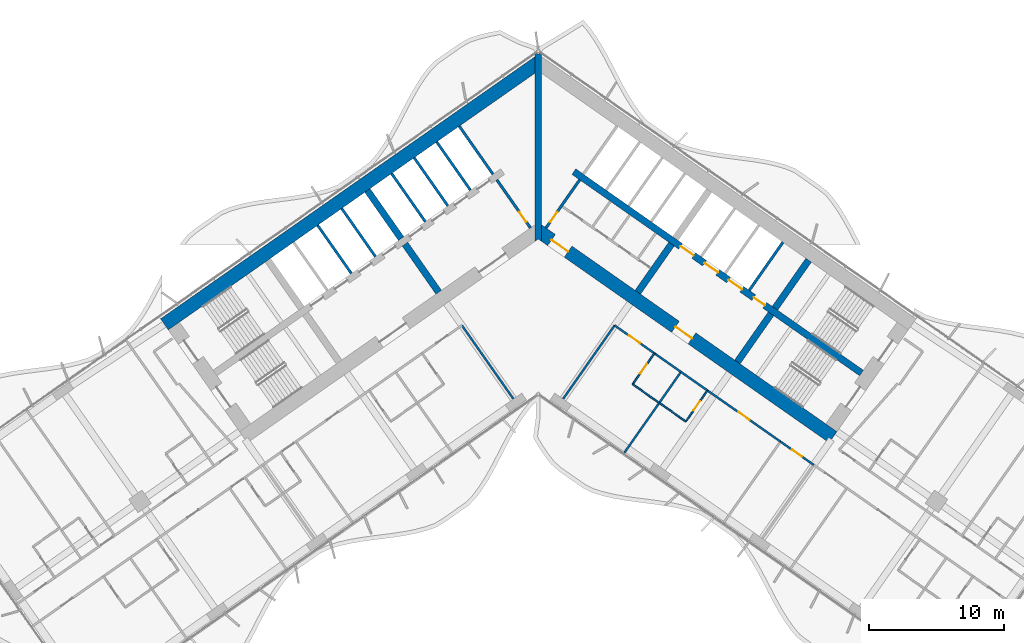
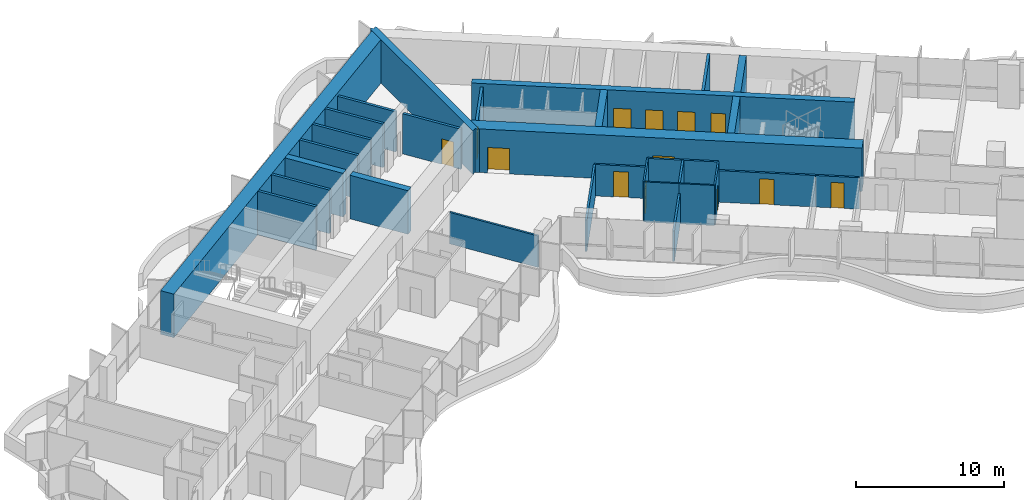
# One storey, part 14 of 23: 31 walls, 13 doors, 13 openings.
"""IFC4 building model written with IfcOpenShell, lengths in metres."""

from ifc_helpers import new_model, si_unit, direction, frame, frame_2d, origin, place, context, subcontext, project, spatial, polyline, rectangle, outline, extrude, material, layer, layer_set, type_object, element, fill, save


model = new_model("IFC4")

# Units and contexts
model_context = context("Model", 3, precision=1e-05, world=origin(), true_north=direction((0.0, 1.0)))
body_context = subcontext(model_context, "Body", "Model", "MODEL_VIEW")
ifc_project = project(units=[si_unit("LENGTHUNIT", "METRE"), si_unit("AREAUNIT", "SQUARE_METRE"), si_unit("VOLUMEUNIT", "CUBIC_METRE"), si_unit("PLANEANGLEUNIT", "RADIAN"), si_unit("MASSUNIT", "GRAM", prefix="KILO")], contexts=[model_context])

# Site, building, storey
site_placement = place(None, origin())
site = spatial("IfcSite", under=ifc_project, at=site_placement, CompositionType="ELEMENT")
building_placement = place(site_placement, origin())
building = spatial("IfcBuilding", under=site, at=building_placement, Name="Tel Ilan Convention Tower", CompositionType="ELEMENT")
storey_placement = place(building_placement, frame((0.0, 0.0, 79.699951171875)))
storey = spatial("IfcBuildingStorey", under=building, at=storey_placement, Name="L15", CompositionType="ELEMENT", Elevation=79.699951171875)

# Wall, opening, door
ifc_material_1 = material(Name="Concrete C30/37", Category="concrete")
ifc_layer_1 = layer(ifc_material_1, 0.199951171875)
ifc_layer_set_1 = layer_set([ifc_layer_1], Name="Core Service Room Wall 200 mm C30/37")
wall_type_1 = type_object("IfcWallType", Name="Core Service Room Wall 200 mm C30/37", PredefinedType="SOLIDWALL", material=ifc_layer_set_1)
wall_1_placement = place(storey_placement, frame((-0.573486328125, -0.401611328125, 0.0), z_axis=(0.0, 0.0, 1.0), x_axis=(-0.57356780395, 0.819158088694, 0.0)))
wall_1 = element("IfcWall", 1, at=wall_1_placement, inside=storey, type_object=wall_type_1, Name="L15 core wall apex-W", PredefinedType="SOLIDWALL", context=body_context, shape_type="SweptSolid", body=[
    extrude(rectangle(XDim=4.35009765625, YDim=0.199951171875, at=frame_2d((2.175048828125, 0.0))), origin(), (0.0, 0.0, 1.0), 3.320068359375),
])
opening_1_placement = place(wall_1_placement, frame((0.550048828125, 0.0, 0.0)))
opening_1 = element("IfcOpeningElement", 2, at=opening_1_placement, cuts=wall_1, Name="Opening CD1502", PredefinedType="OPENING", context=body_context, shape_type="SweptSolid", body=[
    extrude(rectangle(XDim=0.89990234375, YDim=2.10009765625, at=frame_2d((0.449951171875, 1.050048828125))), frame((0.0, 0.10986328125, 0.0), z_axis=(0.0, -1.0, 0.0), x_axis=(1.0, 0.0, 0.0)), (0.0, 0.0, 1.0), 0.219970703125),
])
ifc_material_2 = material(Name="Galvanised Steel Door Leaf", Category="steel")
door_type_1 = type_object("IfcDoorType", Name="Service Room Door 900 x 2100 FD60", OperationType="NOTDEFINED", PredefinedType="DOOR", material=ifc_material_2)
door_1_placement = place(opening_1_placement, origin())
door_1 = element("IfcDoor", 3, at=door_1_placement, inside=storey, type_object=door_type_1, Name="Telecom Room door", OperationType="SINGLE_SWING_RIGHT", OverallHeight=2.10009765625, OverallWidth=0.89990234375, PredefinedType="DOOR", context=body_context, shape_type="SweptSolid", body=[
    extrude(rectangle(XDim=0.89990234375, YDim=2.10009765625, at=frame_2d((0.449951171875, 1.050048828125))), frame((0.0, 0.02490234375, 0.0), z_axis=(0.0, -1.0, 0.0), x_axis=(1.0, 0.0, 0.0)), (0.0, 0.0, 1.0), 0.050048828125),
])
fill(opening_1, door_1)

# Wall
wall_2_placement = place(storey_placement, frame((-3.355224609375, 3.5712890625, 0.0), z_axis=(0.0, 0.0, 1.0), x_axis=(-0.57356780395, 0.819158088694, 0.0)))
element("IfcWall", 4, at=wall_2_placement, inside=storey, type_object=wall_type_1, Name="L15 core wall apex-W-b", PredefinedType="SOLIDWALL", context=body_context, shape_type="SweptSolid", body=[
    extrude(rectangle(XDim=4.35009765625, YDim=0.199951171875, at=frame_2d((2.175048828125, 0.0))), origin(), (0.0, 0.0, 1.0), 3.320068359375),
])

# Wall, opening, door
wall_3_placement = place(storey_placement, frame((0.573486328125, -0.401611328125, 0.0), z_axis=(0.0, 0.0, 1.0), x_axis=(0.57356780395, 0.819158088694, 0.0)))
wall_3 = element("IfcWall", 5, at=wall_3_placement, inside=storey, type_object=wall_type_1, Name="L15 core wall apex-E", PredefinedType="SOLIDWALL", context=body_context, shape_type="SweptSolid", body=[
    extrude(rectangle(XDim=4.35009765625, YDim=0.199951171875, at=frame_2d((2.175048828125, 0.0))), origin(), (0.0, 0.0, 1.0), 3.320068359375),
])
opening_2_placement = place(wall_3_placement, frame((0.550048828125, 0.0, 0.0)))
opening_2 = element("IfcOpeningElement", 6, at=opening_2_placement, cuts=wall_3, Name="Opening CD1501", PredefinedType="OPENING", context=body_context, shape_type="SweptSolid", body=[
    extrude(rectangle(XDim=0.89990234375, YDim=2.10009765625, at=frame_2d((0.449951171875, 1.050048828125))), frame((0.0, 0.10986328125, 0.0), z_axis=(0.0, -1.0, 0.0), x_axis=(1.0, 0.0, 0.0)), (0.0, 0.0, 1.0), 0.219970703125),
])
door_2_placement = place(opening_2_placement, origin())
door_2 = element("IfcDoor", 7, at=door_2_placement, inside=storey, type_object=door_type_1, Name="Data Room door", OperationType="SINGLE_SWING_RIGHT", OverallHeight=2.10009765625, OverallWidth=0.89990234375, PredefinedType="DOOR", context=body_context, shape_type="SweptSolid", body=[
    extrude(rectangle(XDim=0.89990234375, YDim=2.10009765625, at=frame_2d((0.449951171875, 1.050048828125))), frame((0.0, 0.02490234375, 0.0), z_axis=(0.0, -1.0, 0.0), x_axis=(1.0, 0.0, 0.0)), (0.0, 0.0, 1.0), 0.050048828125),
])
fill(opening_2, door_2)

# Wall
ifc_material_3 = material(Name="Concrete C60/75", Category="concrete")
ifc_layer_2 = layer(ifc_material_3, 1.0)
ifc_layer_set_2 = layer_set([ifc_layer_2], Name="Core Shear Wall 1000 mm C60/75")
wall_type_2 = type_object("IfcWallType", Name="Core Shear Wall 1000 mm C60/75", PredefinedType="SHEAR", material=ifc_layer_set_2)
wall_4_placement = place(storey_placement, frame((0.036865234375, 11.8671875, 0.0), z_axis=(0.0, 0.0, 1.0), x_axis=(-0.819155306259, -0.573571777746, 0.0)))
element("IfcWall", 8, at=wall_4_placement, inside=storey, type_object=wall_type_2, Name="L15 core wall W-back", PredefinedType="SHEAR", context=body_context, shape_type="SweptSolid", body=[
    extrude(outline(polyline([(33.8369140625, 0.5), (0.7001953125, 0.499755859375), (0.0, -0.5), (33.8369140625, -0.5), (33.8369140625, 0.5)])), origin(), (0.0, 0.0, 1.0), 3.60009765625),
])

# Wall, openings, doors
wall_5_placement = place(storey_placement, frame((-0.036865234375, -0.584716796875, 0.0), z_axis=(0.0, 0.0, 1.0), x_axis=(0.819157152511, -0.573569140985, 0.0)))
wall_5 = element("IfcWall", 9, at=wall_5_placement, inside=storey, type_object=wall_type_2, Name="L15 core wall E-front", PredefinedType="SHEAR", context=body_context, shape_type="SweptSolid", body=[
    extrude(outline(polyline([(26.69482421875, 0.499755859375), (0.0, 0.5), (0.7001953125, -0.499755859375), (26.69482421875, -0.500244140625), (26.69482421875, 0.499755859375)])), origin(), (0.0, 0.0, 1.0), 3.60009765625),
])
opening_3_placement = place(wall_5_placement, frame((1.244873046875, 0.0, 0.0)))
opening_3 = element("IfcOpeningElement", 10, at=opening_3_placement, cuts=wall_5, Name="Opening CD1503", PredefinedType="OPENING", context=body_context, shape_type="SweptSolid", body=[
    extrude(rectangle(XDim=1.5, YDim=2.10009765625, at=frame_2d((0.75, 1.050048828125))), frame((0.0, 0.510009765625, 0.0), z_axis=(0.0, -1.0, 0.0), x_axis=(1.0, 0.0, 0.0)), (0.0, 0.0, 1.0), 1.02001953125),
])
opening_4_placement = place(wall_5_placement, frame((12.44482421875, 0.0, 0.0)))
opening_4 = element("IfcOpeningElement", 11, at=opening_4_placement, cuts=wall_5, Name="Opening CD1504", PredefinedType="OPENING", context=body_context, shape_type="SweptSolid", body=[
    extrude(rectangle(XDim=1.5, YDim=2.10009765625, at=frame_2d((0.75, 1.050048828125))), frame((0.0, 0.510009765625, 0.0), z_axis=(0.0, -1.0, 0.0), x_axis=(1.0, 0.0, 0.0)), (0.0, 0.0, 1.0), 1.02001953125),
])
ifc_material_4 = material(Name="Glazed Aluminium Door Leaf", Category="aluminium")
door_type_2 = type_object("IfcDoorType", Name="Lobby Opening Door 1500 x 2100 FD60S", OperationType="NOTDEFINED", PredefinedType="DOOR", material=ifc_material_4)
door_3_placement = place(opening_4_placement, origin())
door_3 = element("IfcDoor", 12, at=door_3_placement, inside=storey, type_object=door_type_2, Name="Firefighting Lobby door", OperationType="DOUBLE_DOOR_SINGLE_SWING", OverallHeight=2.10009765625, OverallWidth=1.5, PredefinedType="DOOR", context=body_context, shape_type="SweptSolid", body=[
    extrude(rectangle(XDim=1.5, YDim=2.10009765625, at=frame_2d((0.75, 1.050048828125))), frame((0.0, 0.02490234375, 0.0), z_axis=(0.0, -1.0, 0.0), x_axis=(1.0, 0.0, 0.0)), (0.0, 0.0, 1.0), 0.050048828125),
])
fill(opening_4, door_3)
ifc_material_5 = material(Name="Laminated Timber Door Leaf", Category="wood")
door_type_3 = type_object("IfcDoorType", Name="Toilet Door 1500 x 2100 FD30S", OperationType="NOTDEFINED", PredefinedType="DOOR", material=ifc_material_5)
door_4_placement = place(opening_3_placement, origin())
door_4 = element("IfcDoor", 13, at=door_4_placement, inside=storey, type_object=door_type_3, Name="WC Lobby door", OperationType="SINGLE_SWING_RIGHT", OverallHeight=2.10009765625, OverallWidth=1.5, PredefinedType="DOOR", context=body_context, shape_type="SweptSolid", body=[
    extrude(rectangle(XDim=1.5, YDim=2.10009765625, at=frame_2d((0.75, 1.050048828125))), frame((0.0, 0.02490234375, 0.0), z_axis=(0.0, -1.0, 0.0), x_axis=(1.0, 0.0, 0.0)), (0.0, 0.0, 1.0), 0.050048828125),
])
fill(opening_3, door_4)

# Walls
ifc_material_6 = material(Name="Concrete C60/75", Category="concrete")
ifc_layer_3 = layer(ifc_material_6, 0.5)
ifc_layer_set_3 = layer_set([ifc_layer_3], Name="Core Shear Wall 500 mm C60/75")
wall_type_3 = type_object("IfcWallType", Name="Core Shear Wall 500 mm C60/75", PredefinedType="SHEAR", material=ifc_layer_set_3)
wall_6_placement = place(storey_placement, frame((-7.372314453125, -5.162109375, 0.0), z_axis=(0.0, 0.0, 1.0), x_axis=(-0.573594173421, 0.819139624372, 0.0)))
element("IfcWall", 14, at=wall_6_placement, inside=storey, type_object=wall_type_3, Name="L15 core wall W-cross1-1", PredefinedType="SHEAR", context=body_context, shape_type="SweptSolid", body=[
    extrude(outline(polyline([(4.349853515625, 0.25), (0.0, 0.250244140625), (0.0, -0.25), (4.349853515625, -0.25), (4.349853515625, 0.25)])), origin(), (0.0, 0.0, 1.0), 3.60009765625),
])
wall_7_placement = place(storey_placement, frame((-10.154296875, -1.189208984375, 0.0), z_axis=(0.0, 0.0, 1.0), x_axis=(-0.573594173421, 0.819139624372, 0.0)))
element("IfcWall", 15, at=wall_7_placement, inside=storey, type_object=wall_type_3, Name="L15 core wall W-cross1-2", PredefinedType="SHEAR", context=body_context, shape_type="SweptSolid", body=[
    extrude(outline(polyline([(4.349853515625, -0.25), (4.349853515625, 0.25), (-0.000244140625, 0.25), (-0.000244140625, -0.25), (4.349853515625, -0.25)])), origin(), (0.0, 0.0, 1.0), 3.60009765625),
])
wall_8_placement = place(storey_placement, frame((7.372314453125, -5.162109375, 0.0), z_axis=(0.0, 0.0, 1.0), x_axis=(0.573594173421, 0.819139624372, 0.0)))
element("IfcWall", 16, at=wall_8_placement, inside=storey, type_object=wall_type_3, Name="L15 core wall E-cross1-1", PredefinedType="SHEAR", context=body_context, shape_type="SweptSolid", body=[
    extrude(outline(polyline([(0.0, 0.25), (0.0, -0.250244140625), (4.349853515625, -0.25), (4.349853515625, 0.25), (0.0, 0.25)])), origin(), (0.0, 0.0, 1.0), 3.60009765625),
])
wall_9_placement = place(storey_placement, frame((14.74462890625, -10.324462890625, 0.0), z_axis=(0.0, 0.0, 1.0), x_axis=(0.57356780395, 0.819158088694, 0.0)))
element("IfcWall", 17, at=wall_9_placement, inside=storey, type_object=wall_type_3, Name="L15 core wall E-cross2-1", PredefinedType="SHEAR", context=body_context, shape_type="SweptSolid", body=[
    extrude(outline(polyline([(0.0, 0.25), (0.0, -0.25), (4.35009765625, -0.250244140625), (4.35009765625, 0.25), (0.0, 0.25)])), origin(), (0.0, 0.0, 1.0), 3.60009765625),
])
wall_10_placement = place(storey_placement, frame((17.526611328125, -6.3515625, 0.0), z_axis=(0.0, 0.0, 1.0), x_axis=(0.573530143085, 0.819184457233, 0.0)))
element("IfcWall", 18, at=wall_10_placement, inside=storey, type_object=wall_type_3, Name="L15 core wall E-cross2-2", PredefinedType="SHEAR", context=body_context, shape_type="SweptSolid", body=[
    extrude(outline(polyline([(4.35009765625, -0.250244140625), (4.35009765625, 0.249755859375), (0.0, 0.25), (0.0, -0.25), (4.35009765625, -0.250244140625)])), origin(), (0.0, 0.0, 1.0), 3.60009765625),
])

# Wall, openings, doors
wall_11_placement = place(storey_placement, frame((2.638427734375, 3.76806640625, 0.0), z_axis=(0.0, 0.0, 1.0), x_axis=(0.819148977158, -0.573580816643, 0.0)))
wall_11 = element("IfcWall", 19, at=wall_11_placement, inside=storey, type_object=wall_type_3, Name="L15 core wall E-spine", PredefinedType="SHEAR", context=body_context, shape_type="SweptSolid", body=[
    extrude(outline(polyline([(0.0, 0.25), (0.0, -0.25), (26.0, -0.249755859375), (26.0, 0.250244140625), (0.0, 0.25)])), origin(), (0.0, 0.0, 1.0), 3.60009765625),
])
opening_5_placement = place(wall_11_placement, frame((9.637451171875, 0.0, 0.0)))
opening_5 = element("IfcOpeningElement", 20, at=opening_5_placement, cuts=wall_11, Name="Opening LD1501", PredefinedType="OPENING", context=body_context, shape_type="SweptSolid", body=[
    extrude(rectangle(XDim=1.199951171875, YDim=2.10009765625, at=frame_2d((0.60009765625, 1.050048828125))), frame((0.0, 0.260009765625, 0.0), z_axis=(0.0, -1.0, 0.0), x_axis=(1.0, 0.0, 0.0)), (0.0, 0.0, 1.0), 0.52001953125),
])
opening_6_placement = place(wall_11_placement, frame((11.8125, 0.0, 0.0)))
opening_6 = element("IfcOpeningElement", 21, at=opening_6_placement, cuts=wall_11, Name="Opening LD1502", PredefinedType="OPENING", context=body_context, shape_type="SweptSolid", body=[
    extrude(rectangle(XDim=1.199951171875, YDim=2.10009765625, at=frame_2d((0.60009765625, 1.050048828125))), frame((0.0, 0.260009765625, 0.0), z_axis=(0.0, -1.0, 0.0), x_axis=(1.0, 0.0, 0.0)), (0.0, 0.0, 1.0), 0.52001953125),
])
opening_7_placement = place(wall_11_placement, frame((13.987548828125, 0.0, 0.0)))
opening_7 = element("IfcOpeningElement", 22, at=opening_7_placement, cuts=wall_11, Name="Opening LD1503", PredefinedType="OPENING", context=body_context, shape_type="SweptSolid", body=[
    extrude(rectangle(XDim=1.199951171875, YDim=2.10009765625, at=frame_2d((0.60009765625, 1.050048828125))), frame((0.0, 0.260009765625, 0.0), z_axis=(0.0, -1.0, 0.0), x_axis=(1.0, 0.0, 0.0)), (0.0, 0.0, 1.0), 0.52001953125),
])
opening_8_placement = place(wall_11_placement, frame((16.262451171875, 0.0, 0.0)))
opening_8 = element("IfcOpeningElement", 23, at=opening_8_placement, cuts=wall_11, Name="Opening CD1507", PredefinedType="OPENING", context=body_context, shape_type="SweptSolid", body=[
    extrude(rectangle(XDim=1.0, YDim=2.10009765625, at=frame_2d((0.5, 1.050048828125))), frame((0.0, 0.260009765625, 0.0), z_axis=(0.0, -1.0, 0.0), x_axis=(1.0, 0.0, 0.0)), (0.0, 0.0, 1.0), 0.52001953125),
])
ifc_material_7 = material(Name="Stainless Steel Sliding Door Leaf", Category="steel")
door_type_4 = type_object("IfcDoorType", Name="Lift Landing Door 1200 x 2100 FD120", OperationType="NOTDEFINED", PredefinedType="DOOR", material=ifc_material_7)
door_5_placement = place(opening_5_placement, origin())
door_5 = element("IfcDoor", 24, at=door_5_placement, inside=storey, type_object=door_type_4, Name="Lift FL1 landing door", OperationType="SLIDING_TO_LEFT", OverallHeight=2.10009765625, OverallWidth=1.199951171875, PredefinedType="DOOR", context=body_context, shape_type="SweptSolid", body=[
    extrude(rectangle(XDim=1.199951171875, YDim=2.10009765625, at=frame_2d((0.60009765625, 1.050048828125))), frame((0.0, 0.02490234375, 0.0), z_axis=(0.0, -1.0, 0.0), x_axis=(1.0, 0.0, 0.0)), (0.0, 0.0, 1.0), 0.050048828125),
])
fill(opening_5, door_5)
door_6_placement = place(opening_6_placement, origin())
door_6 = element("IfcDoor", 25, at=door_6_placement, inside=storey, type_object=door_type_4, Name="Lift FL2 landing door", OperationType="SLIDING_TO_RIGHT", OverallHeight=2.10009765625, OverallWidth=1.199951171875, PredefinedType="DOOR", context=body_context, shape_type="SweptSolid", body=[
    extrude(rectangle(XDim=1.199951171875, YDim=2.10009765625, at=frame_2d((0.60009765625, 1.050048828125))), frame((0.0, 0.02490234375, 0.0), z_axis=(0.0, -1.0, 0.0), x_axis=(1.0, 0.0, 0.0)), (0.0, 0.0, 1.0), 0.050048828125),
])
fill(opening_6, door_6)
door_7_placement = place(opening_7_placement, origin())
door_7 = element("IfcDoor", 26, at=door_7_placement, inside=storey, type_object=door_type_4, Name="Lift FL3 landing door", OperationType="SLIDING_TO_LEFT", OverallHeight=2.10009765625, OverallWidth=1.199951171875, PredefinedType="DOOR", context=body_context, shape_type="SweptSolid", body=[
    extrude(rectangle(XDim=1.199951171875, YDim=2.10009765625, at=frame_2d((0.60009765625, 1.050048828125))), frame((0.0, 0.02490234375, 0.0), z_axis=(0.0, -1.0, 0.0), x_axis=(1.0, 0.0, 0.0)), (0.0, 0.0, 1.0), 0.050048828125),
])
fill(opening_7, door_7)
ifc_material_8 = material(Name="Galvanised Steel Door Leaf", Category="steel")
door_type_5 = type_object("IfcDoorType", Name="Service Room Door 1000 x 2100 FD60", OperationType="NOTDEFINED", PredefinedType="DOOR", material=ifc_material_8)
door_8_placement = place(opening_8_placement, origin())
door_8 = element("IfcDoor", 27, at=door_8_placement, inside=storey, type_object=door_type_5, Name="Plant Room door", OperationType="SINGLE_SWING_RIGHT", OverallHeight=2.10009765625, OverallWidth=1.0, PredefinedType="DOOR", context=body_context, shape_type="SweptSolid", body=[
    extrude(rectangle(XDim=1.0, YDim=2.10009765625, at=frame_2d((0.5, 1.050048828125))), frame((0.0, 0.02490234375, 0.0), z_axis=(0.0, -1.0, 0.0), x_axis=(1.0, 0.0, 0.0)), (0.0, 0.0, 1.0), 0.050048828125),
])
fill(opening_8, door_8)

# Wall
wall_12_placement = place(storey_placement, frame((0.0, -1.395751953125, 0.0), z_axis=(0.0, 0.0, 1.0), x_axis=(0.0, 1.0, 0.0)))
element("IfcWall", 28, at=wall_12_placement, inside=storey, type_object=wall_type_3, Name="L15 core wall K-central", PredefinedType="SHEAR", context=body_context, shape_type="SweptSolid", body=[
    extrude(outline(polyline([(0.0, -0.25), (0.175048828125, -0.25), (1.220703125, -0.25), (12.451904296875, -0.25), (13.84765625, -0.25), (13.85693359375, -0.25), (13.96826171875, -0.172119140625), (13.84765625, 0.0), (13.96826171875, 0.172119140625), (13.85693359375, 0.25), (13.84765625, 0.25), (12.451904296875, 0.25), (1.220703125, 0.25), (0.175048828125, 0.25), (0.0, 0.25), (0.175048828125, 0.0), (0.0, -0.25)])), origin(), (0.0, 0.0, 1.0), 3.60009765625),
])

# Wall, opening, door
ifc_material_9 = material(Name="Plasterboard on Steel Studs", Category="steel")
ifc_layer_4 = layer(ifc_material_9, 0.14990234375)
ifc_layer_set_4 = layer_set([ifc_layer_4], Name="Fire-rated Partition 150 EI 60")
wall_type_4 = type_object("IfcWallType", Name="Fire-rated Partition 150 EI 60", PredefinedType="PARTITIONING", material=ifc_layer_set_4)
wall_13_placement = place(storey_placement, frame((8.601318359375, -9.68505859375, 0.0), z_axis=(0.0, 0.0, 1.0), x_axis=(-0.819149096931, 0.573580645591, 0.0)))
wall_13 = element("IfcWall", 29, at=wall_13_placement, inside=storey, type_object=wall_type_4, Name="Partition 007", PredefinedType="PARTITIONING", context=body_context, shape_type="SweptSolid", body=[
    extrude(rectangle(XDim=3.600830078125, YDim=0.14990234375, at=frame_2d((1.80029296875, 0.0))), origin(), (0.0, 0.0, 1.0), 2.60009765625),
])
opening_9_placement = place(wall_13_placement, frame((1.301025390625, 0.0, 0.0)))
opening_9 = element("IfcOpeningElement", 30, at=opening_9_placement, cuts=wall_13, Name="Opening L15-021", PredefinedType="OPENING", context=body_context, shape_type="SweptSolid", body=[
    extrude(rectangle(XDim=1.0, YDim=2.10009765625, at=frame_2d((0.5, 1.050048828125))), frame((0.0, 0.0849609375, 0.0), z_axis=(0.0, -1.0, 0.0), x_axis=(1.0, 0.0, 0.0)), (0.0, 0.0, 1.0), 0.169921875),
])
ifc_material_10 = material(Name="Timber Door Leaf in Steel Frame", Category="steel")
door_type_6 = type_object("IfcDoorType", Name="Hotel Room Entrance Fire Door 1000x2100", OperationType="NOTDEFINED", PredefinedType="DOOR", material=ifc_material_10)
door_9_placement = place(opening_9_placement, origin())
door_9 = element("IfcDoor", 31, at=door_9_placement, inside=storey, type_object=door_type_6, Name="Door L15-021", OperationType="SINGLE_SWING_LEFT", OverallHeight=2.10009765625, OverallWidth=1.0, PredefinedType="DOOR", context=body_context, shape_type="SweptSolid", body=[
    extrude(rectangle(XDim=1.0, YDim=2.10009765625, at=frame_2d((0.5, 1.050048828125))), frame((0.0, 0.02490234375, 0.0), z_axis=(0.0, -1.0, 0.0), x_axis=(1.0, 0.0, 0.0)), (0.0, 0.0, 1.0), 0.050048828125),
])
fill(opening_9, door_9)

# Wall
wall_14_placement = place(storey_placement, frame((10.568115234375, -11.062255859375, 0.0), z_axis=(0.0, 0.0, 1.0), x_axis=(-0.819146032251, 0.573585022335, 0.0)))
element("IfcWall", 32, at=wall_14_placement, inside=storey, type_object=wall_type_4, Name="Partition 008", PredefinedType="PARTITIONING", context=body_context, shape_type="SweptSolid", body=[
    extrude(rectangle(XDim=2.404052734375, YDim=0.14990234375, at=frame_2d((1.2021484375, 0.0))), origin(), (0.0, 0.0, 1.0), 3.320068359375),
])

# Wall, opening, door
wall_15_placement = place(storey_placement, frame((17.940673828125, -16.224365234375, 0.0), z_axis=(0.0, 0.0, 1.0), x_axis=(-0.819153746897, 0.573574004767, 0.0)))
wall_15 = element("IfcWall", 33, at=wall_15_placement, inside=storey, type_object=wall_type_4, Name="Partition 009", PredefinedType="PARTITIONING", context=body_context, shape_type="SweptSolid", body=[
    extrude(rectangle(XDim=6.60302734375, YDim=0.14990234375, at=frame_2d((3.301513671875, 0.0))), origin(), (0.0, 0.0, 1.0), 2.60009765625),
])
opening_10_placement = place(wall_15_placement, frame((2.802001953125, 0.0, 0.0)))
opening_10 = element("IfcOpeningElement", 34, at=opening_10_placement, cuts=wall_15, Name="Opening L15-023", PredefinedType="OPENING", context=body_context, shape_type="SweptSolid", body=[
    extrude(rectangle(XDim=1.0, YDim=2.10009765625, at=frame_2d((0.5, 1.050048828125))), frame((0.0, 0.0849609375, 0.0), z_axis=(0.0, -1.0, 0.0), x_axis=(1.0, 0.0, 0.0)), (0.0, 0.0, 1.0), 0.169921875),
])
door_10_placement = place(opening_10_placement, origin())
door_10 = element("IfcDoor", 35, at=door_10_placement, inside=storey, type_object=door_type_6, Name="Door L15-023", OperationType="SINGLE_SWING_RIGHT", OverallHeight=2.10009765625, OverallWidth=1.0, PredefinedType="DOOR", context=body_context, shape_type="SweptSolid", body=[
    extrude(rectangle(XDim=1.0, YDim=2.10009765625, at=frame_2d((0.5, 1.050048828125))), frame((0.0, 0.02490234375, 0.0), z_axis=(0.0, -1.0, 0.0), x_axis=(1.0, 0.0, 0.0)), (0.0, 0.0, 1.0), 0.050048828125),
])
fill(opening_10, door_10)

# Wall
wall_16_placement = place(storey_placement, frame((12.5341796875, -12.438720703125, 0.0), z_axis=(0.0, 0.0, 1.0), x_axis=(-0.819193748, 0.57351687267, 0.0)))
element("IfcWall", 36, at=wall_16_placement, inside=storey, type_object=wall_type_4, Name="Partition 010", PredefinedType="PARTITIONING", context=body_context, shape_type="SweptSolid", body=[
    extrude(rectangle(XDim=2.40380859375, YDim=0.14990234375, at=frame_2d((1.201904296875, 0.0))), origin(), (0.0, 0.0, 1.0), 3.320068359375),
])

# Wall, opening, door
wall_17_placement = place(storey_placement, frame((20.39794921875, -17.9453125, 0.0), z_axis=(0.0, 0.0, 1.0), x_axis=(-0.819128818764, 0.573609604409, 0.0)))
wall_17 = element("IfcWall", 37, at=wall_17_placement, inside=storey, type_object=wall_type_4, Name="Partition 011", PredefinedType="PARTITIONING", context=body_context, shape_type="SweptSolid", body=[
    extrude(rectangle(XDim=3.004150390625, YDim=0.14990234375, at=frame_2d((1.501953125, 0.0))), origin(), (0.0, 0.0, 1.0), 2.60009765625),
])
opening_11_placement = place(wall_17_placement, frame((1.052001953125, 0.0, 0.0)))
opening_11 = element("IfcOpeningElement", 38, at=opening_11_placement, cuts=wall_17, Name="Opening L15-024", PredefinedType="OPENING", context=body_context, shape_type="SweptSolid", body=[
    extrude(rectangle(XDim=0.89990234375, YDim=2.10009765625, at=frame_2d((0.449951171875, 1.050048828125))), frame((0.0, 0.0849609375, 0.0), z_axis=(0.0, -1.0, 0.0), x_axis=(1.0, 0.0, 0.0)), (0.0, 0.0, 1.0), 0.169921875),
])
ifc_material_11 = material(Name="Timber Door Leaf in Steel Frame", Category="steel")
door_type_7 = type_object("IfcDoorType", Name="Room Fire Door 900x2100", OperationType="NOTDEFINED", PredefinedType="DOOR", material=ifc_material_11)
door_11_placement = place(opening_11_placement, origin())
door_11 = element("IfcDoor", 39, at=door_11_placement, inside=storey, type_object=door_type_7, Name="Door L15-024", OperationType="SINGLE_SWING_LEFT", OverallHeight=2.10009765625, OverallWidth=0.89990234375, PredefinedType="DOOR", context=body_context, shape_type="SweptSolid", body=[
    extrude(rectangle(XDim=0.89990234375, YDim=2.10009765625, at=frame_2d((0.449951171875, 1.050048828125))), frame((0.0, 0.02490234375, 0.0), z_axis=(0.0, -1.0, 0.0), x_axis=(1.0, 0.0, 0.0)), (0.0, 0.0, 1.0), 0.050048828125),
])
fill(opening_11, door_11)

# Walls
wall_18_placement = place(storey_placement, frame((8.9599609375, -13.35546875, 0.0), z_axis=(0.0, 0.0, 1.0), x_axis=(-0.573564311442, -0.819160534108, 0.0)))
element("IfcWall", 40, at=wall_18_placement, inside=storey, type_object=wall_type_4, Name="Partition 050", PredefinedType="PARTITIONING", context=body_context, shape_type="SweptSolid", body=[
    extrude(rectangle(XDim=4.499267578125, YDim=0.14990234375, at=frame_2d((2.24951171875, 0.0))), origin(), (0.0, 0.0, 1.0), 2.5),
])
wall_19_placement = place(storey_placement, frame((1.848876953125, -13.050537109375, 0.0), z_axis=(0.0, 0.0, 1.0), x_axis=(0.57357355307, 0.819154063177, 0.0)))
element("IfcWall", 41, at=wall_19_placement, inside=storey, type_object=wall_type_4, Name="Partition 051", PredefinedType="PARTITIONING", context=body_context, shape_type="SweptSolid", body=[
    extrude(rectangle(XDim=6.6298828125, YDim=0.14990234375, at=frame_2d((3.31494140625, 0.0))), origin(), (0.0, 0.0, 1.0), 2.60009765625),
])
wall_20_placement = place(storey_placement, frame((10.566650390625, -11.06103515625, 0.0), z_axis=(0.0, 0.0, 1.0), x_axis=(-0.573608623498, -0.819129505664, 0.0)))
element("IfcWall", 42, at=wall_20_placement, inside=storey, type_object=wall_type_4, Name="Partition 052", PredefinedType="PARTITIONING", context=body_context, shape_type="SweptSolid", body=[
    extrude(rectangle(XDim=2.800048828125, YDim=0.14990234375, at=frame_2d((1.39990234375, 0.0))), origin(), (0.0, 0.0, 1.0), 3.320068359375),
])
wall_21_placement = place(storey_placement, frame((-1.848876953125, -13.050537109375, 0.0), z_axis=(0.0, 0.0, 1.0), x_axis=(-0.573575988258, 0.819152358047, 0.0)))
element("IfcWall", 43, at=wall_21_placement, inside=storey, type_object=wall_type_4, Name="Partition 064", PredefinedType="PARTITIONING", context=body_context, shape_type="SweptSolid", body=[
    extrude(rectangle(XDim=6.632080078125, YDim=0.14990234375, at=frame_2d((3.31591796875, 0.0))), origin(), (0.0, 0.0, 1.0), 2.60009765625),
])
ifc_material_12 = material(Name="Concrete C30/37", Category="concrete")
ifc_layer_5 = layer(ifc_material_12, 0.199951171875)
ifc_layer_set_5 = layer_set([ifc_layer_5], Name="Lift Shaft Wall 200 mm C30/37")
wall_type_5 = type_object("IfcWallType", Name="Lift Shaft Wall 200 mm C30/37", PredefinedType="SOLIDWALL", material=ifc_layer_set_5)
wall_22_placement = place(storey_placement, frame((-5.0244140625, 2.402587890625, 0.0), z_axis=(0.0, 0.0, 1.0), x_axis=(-0.573530143085, 0.819184457233, 0.0)))
element("IfcWall", 44, at=wall_22_placement, inside=storey, type_object=wall_type_5, Name="L15 core wall bank-W1-p0", PredefinedType="SOLIDWALL", context=body_context, shape_type="SweptSolid", body=[
    extrude(rectangle(XDim=4.35009765625, YDim=0.199951171875, at=frame_2d((2.175048828125, 0.0))), origin(), (0.0, 0.0, 1.0), 3.60009765625),
])
for number, where, z_axis, x_axis, name in (
    (45, (-6.693359375, 1.234130859375, 0.0), (0.0, 0.0, 1.0), (-0.573594173421, 0.819139624372, 0.0), "L15 core wall bank-W1-p1"),
    (46, (-8.3623046875, 0.0654296875, 0.0), (0.0, 0.0, 1.0), (-0.573594173421, 0.819139624372, 0.0), "L15 core wall bank-W1-p2"),
    (47, (-12.05859375, -2.52294921875, 0.0), (0.0, 0.0, 1.0), (-0.573594173421, 0.819139624372, 0.0), "L15 core wall bank-W2-p0"),
):
    element("IfcWall", number, at=place(storey_placement, frame(where, z_axis=z_axis, x_axis=x_axis)), inside=storey, type_object=wall_type_5, Name=name, PredefinedType="SOLIDWALL", context=body_context, shape_type="SweptSolid", body=[
        extrude(rectangle(XDim=4.349853515625, YDim=0.199951171875, at=frame_2d((2.1748046875, 0.0))), origin(), (0.0, 0.0, 1.0), 3.60009765625),
    ])
wall_23_placement = place(storey_placement, frame((-13.84033203125, -3.7705078125, 0.0), z_axis=(0.0, 0.0, 1.0), x_axis=(-0.57356780395, 0.819158088694, 0.0)))
element("IfcWall", 48, at=wall_23_placement, inside=storey, type_object=wall_type_5, Name="L15 core wall bank-W2-p1", PredefinedType="SOLIDWALL", context=body_context, shape_type="SweptSolid", body=[
    extrude(rectangle(XDim=4.35009765625, YDim=0.199951171875, at=frame_2d((2.175048828125, 0.0))), origin(), (0.0, 0.0, 1.0), 3.60009765625),
])
wall_24_placement = place(storey_placement, frame((15.6220703125, -5.017822265625, 0.0), z_axis=(0.0, 0.0, 1.0), x_axis=(0.573594173421, 0.819139624372, 0.0)))
element("IfcWall", 49, at=wall_24_placement, inside=storey, type_object=wall_type_5, Name="L15 core wall bank-E2-p2", PredefinedType="SOLIDWALL", context=body_context, shape_type="SweptSolid", body=[
    extrude(rectangle(XDim=4.349853515625, YDim=0.199951171875, at=frame_2d((2.1748046875, 0.0))), origin(), (0.0, 0.0, 1.0), 3.60009765625),
])

# Wall, opening, door
ifc_material_13 = material(Name="Plasterboard on Steel Studs", Category="steel")
ifc_layer_6 = layer(ifc_material_13, 0.1201171875)
ifc_layer_set_6 = layer_set([ifc_layer_6], Name="Moisture-resistant Partition 120")
wall_type_6 = type_object("IfcWallType", Name="Moisture-resistant Partition 120", PredefinedType="PARTITIONING", material=ifc_layer_set_6)
wall_25_placement = place(storey_placement, frame((8.599853515625, -9.683837890625, 0.0), z_axis=(0.0, 0.0, 1.0), x_axis=(-0.573550118428, -0.819170471667, 0.0)))
wall_25 = element("IfcWall", 50, at=wall_25_placement, inside=storey, type_object=wall_type_6, Name="Partition 048", PredefinedType="PARTITIONING", context=body_context, shape_type="SweptSolid", body=[
    extrude(rectangle(XDim=2.800048828125, YDim=0.1201171875, at=frame_2d((1.39990234375, 0.0))), origin(), (0.0, 0.0, 1.0), 3.320068359375),
])
opening_12_placement = place(wall_25_placement, frame((0.97509765625, 0.0, 0.0)))
opening_12 = element("IfcOpeningElement", 51, at=opening_12_placement, cuts=wall_25, Name="Opening L15-020", PredefinedType="OPENING", context=body_context, shape_type="SweptSolid", body=[
    extrude(rectangle(XDim=0.85009765625, YDim=2.050048828125, at=frame_2d((0.425048828125, 1.02490234375))), frame((0.0, 0.070068359375, 0.0), z_axis=(0.0, -1.0, 0.0), x_axis=(1.0, 0.0, 0.0)), (0.0, 0.0, 1.0), 0.14013671875),
])
ifc_material_14 = material(Name="Timber Door Leaf in Steel Frame", Category="steel")
door_type_8 = type_object("IfcDoorType", Name="Bathroom Timber Door 850x2050", OperationType="NOTDEFINED", PredefinedType="DOOR", material=ifc_material_14)
door_12_placement = place(opening_12_placement, origin())
door_12 = element("IfcDoor", 52, at=door_12_placement, inside=storey, type_object=door_type_8, Name="Door L15-020", OperationType="SINGLE_SWING_RIGHT", OverallHeight=2.050048828125, OverallWidth=0.85009765625, PredefinedType="DOOR", context=body_context, shape_type="SweptSolid", body=[
    extrude(rectangle(XDim=0.85009765625, YDim=2.050048828125, at=frame_2d((0.425048828125, 1.02490234375))), frame((0.0, 0.02490234375, 0.0), z_axis=(0.0, -1.0, 0.0), x_axis=(1.0, 0.0, 0.0)), (0.0, 0.0, 1.0), 0.050048828125),
])
fill(opening_12, door_12)

# Walls
for number, where, z_axis, x_axis, name in (
    (53, (6.993896484375, -11.97900390625, 0.0), (0.0, 0.0, 1.0), (0.819188907105, -0.573523787192, 0.0), "Partition 049"),
    (54, (8.9599609375, -13.35546875, 0.0), (0.0, 0.0, 1.0), (0.819107643868, -0.573639841501, 0.0), "Partition 053"),
):
    element("IfcWall", number, at=place(storey_placement, frame(where, z_axis=z_axis, x_axis=x_axis)), inside=storey, type_object=wall_type_6, Name=name, PredefinedType="PARTITIONING", context=body_context, shape_type="SweptSolid", body=[
        extrude(rectangle(XDim=2.39990234375, YDim=0.1201171875, at=frame_2d((1.199951171875, 0.0))), origin(), (0.0, 0.0, 1.0), 3.320068359375),
    ])

# Wall, opening, door
wall_26_placement = place(storey_placement, frame((10.92724609375, -14.73193359375, 0.0), z_axis=(0.0, 0.0, 1.0), x_axis=(0.573550118428, 0.819170471667, 0.0)))
wall_26 = element("IfcWall", 55, at=wall_26_placement, inside=storey, type_object=wall_type_6, Name="Partition 054", PredefinedType="PARTITIONING", context=body_context, shape_type="SweptSolid", body=[
    extrude(rectangle(XDim=2.800048828125, YDim=0.1201171875, at=frame_2d((1.39990234375, 0.0))), origin(), (0.0, 0.0, 1.0), 3.320068359375),
])
opening_13_placement = place(wall_26_placement, frame((0.97509765625, 0.0, 0.0)))
opening_13 = element("IfcOpeningElement", 56, at=opening_13_placement, cuts=wall_26, Name="Opening L15-022", PredefinedType="OPENING", context=body_context, shape_type="SweptSolid", body=[
    extrude(rectangle(XDim=0.85009765625, YDim=2.050048828125, at=frame_2d((0.425048828125, 1.02490234375))), frame((0.0, 0.070068359375, 0.0), z_axis=(0.0, -1.0, 0.0), x_axis=(1.0, 0.0, 0.0)), (0.0, 0.0, 1.0), 0.14013671875),
])
door_13_placement = place(opening_13_placement, origin())
door_13 = element("IfcDoor", 57, at=door_13_placement, inside=storey, type_object=door_type_8, Name="Door L15-022", OperationType="SINGLE_SWING_RIGHT", OverallHeight=2.050048828125, OverallWidth=0.85009765625, PredefinedType="DOOR", context=body_context, shape_type="SweptSolid", body=[
    extrude(rectangle(XDim=0.85009765625, YDim=2.050048828125, at=frame_2d((0.425048828125, 1.02490234375))), frame((0.0, 0.02490234375, 0.0), z_axis=(0.0, -1.0, 0.0), x_axis=(1.0, 0.0, 0.0)), (0.0, 0.0, 1.0), 0.050048828125),
])
fill(opening_13, door_13)

save(model, "model.ifc")
